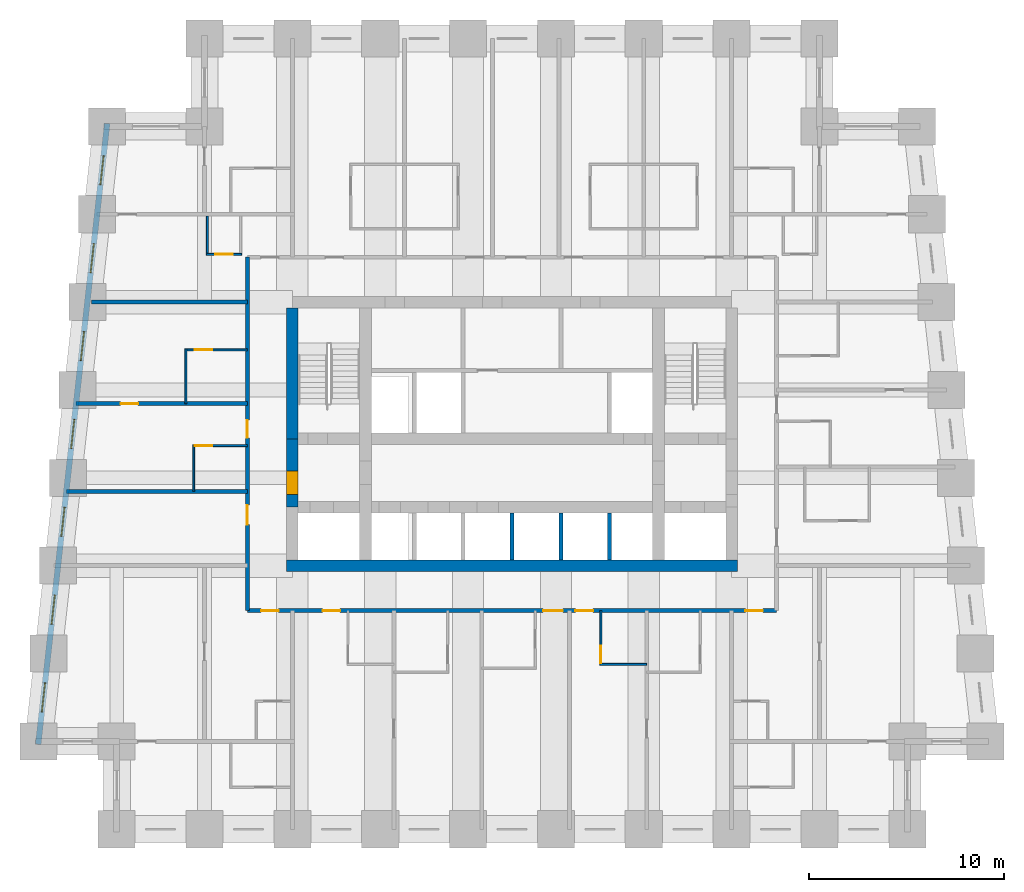
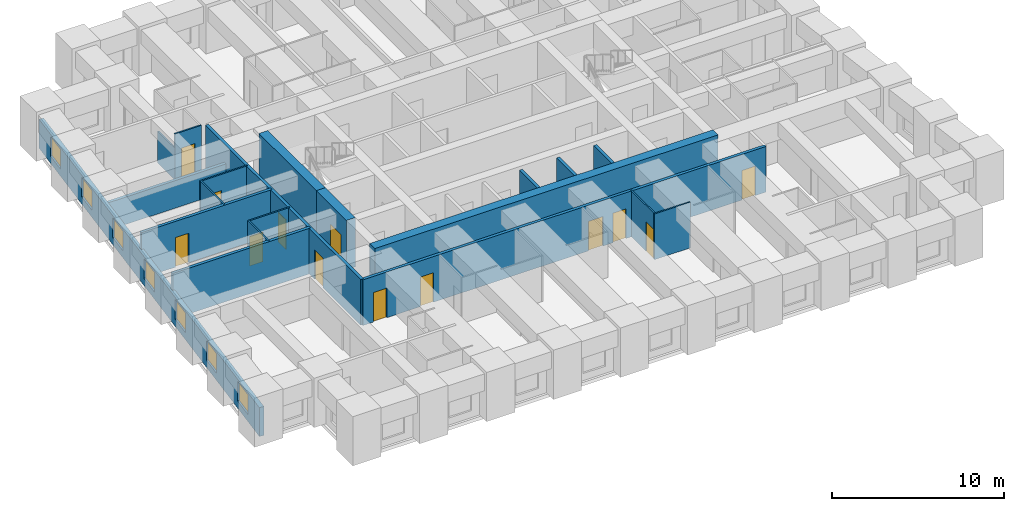
# One storey, part 3 of 8: 20 walls, 13 doors, 7 windows, 20 openings.
"""IFC4 building model written with IfcOpenShell, lengths in metres."""

from ifc_helpers import new_model, si_unit, direction, frame, frame_2d, origin, place, context, subcontext, project, spatial, rectangle, extrude, material, layer, layer_set, type_object, element, fill, save


model = new_model("IFC4")

# Units and contexts
model_context = context("Model", 3, precision=1e-05, world=origin(), true_north=direction((0.0, 1.0)))
body_context = subcontext(model_context, "Body", "Model", "MODEL_VIEW")
ifc_project = project(units=[si_unit("LENGTHUNIT", "METRE"), si_unit("AREAUNIT", "SQUARE_METRE"), si_unit("VOLUMEUNIT", "CUBIC_METRE"), si_unit("PLANEANGLEUNIT", "RADIAN"), si_unit("MASSUNIT", "GRAM", prefix="KILO")], contexts=[model_context])

# Site, building, storey
site_placement = place(None, origin())
site = spatial("IfcSite", under=ifc_project, at=site_placement, CompositionType="ELEMENT")
building_placement = place(site_placement, origin())
building = spatial("IfcBuilding", under=site, at=building_placement, Name="Kilele Tower Hotel", CompositionType="ELEMENT")
storey_placement = place(building_placement, frame((0.0, 0.0, 71.699951171875)))
storey = spatial("IfcBuildingStorey", under=building, at=storey_placement, Name="L17", CompositionType="ELEMENT", Elevation=71.699951171875)

# Wall
ifc_material_1 = material(Name="Moisture-resistant board")
ifc_layer_1 = layer(ifc_material_1, 0.10009765625)
ifc_layer_set_1 = layer_set([ifc_layer_1], Name="Moisture-resistant board")
wall_type_1 = type_object("IfcWallType", Name="Bathroom partition 100", PredefinedType="PLUMBINGWALL", material=ifc_layer_set_1)
wall_1_placement = place(storey_placement, frame((29.25, 8.449951171875, 0.0), z_axis=(0.0, 0.0, 1.0), x_axis=(1.0, 0.0, 0.0)))
element("IfcWall", 1, at=wall_1_placement, inside=storey, type_object=wall_type_1, Name="Bathroom partition 100 L17", PredefinedType="PLUMBINGWALL", context=body_context, shape_type="SweptSolid", body=[
    extrude(rectangle(XDim=2.39990234375, YDim=0.10009765625, at=frame_2d((1.199951171875, 0.0))), origin(), (0.0, 0.0, 1.0), 3.25),
])

# Wall, opening, door
wall_2_placement = place(storey_placement, frame((29.300048828125, 11.199951171875, 0.0), z_axis=(0.0, 0.0, 1.0), x_axis=(0.0, -1.0, 0.0)))
wall_2 = element("IfcWall", 2, at=wall_2_placement, inside=storey, type_object=wall_type_1, Name="Bathroom partition 100 L17", PredefinedType="PLUMBINGWALL", context=body_context, shape_type="SweptSolid", body=[
    extrude(rectangle(XDim=2.800048828125, YDim=0.10009765625, at=frame_2d((1.39990234375, 0.0))), origin(), (0.0, 0.0, 1.0), 3.25),
])
opening_1_placement = place(wall_2_placement, frame((2.699951171875, 0.0, 0.0), z_axis=(0.0, 0.0, 1.0), x_axis=(-1.0, 0.0, 0.0)))
opening_1 = element("IfcOpeningElement", 3, at=opening_1_placement, cuts=wall_2, Name="Opening D2A", PredefinedType="OPENING", context=body_context, shape_type="SweptSolid", body=[
    extrude(rectangle(XDim=0.89990234375, YDim=2.10009765625, at=frame_2d((0.449951171875, 1.050048828125))), frame((0.0, 0.06005859375, 0.0), z_axis=(0.0, -1.0, 0.0), x_axis=(1.0, 0.0, 0.0)), (0.0, 0.0, 1.0), 0.1201171875),
])
ifc_material_2 = material(Name="Timber door leaf in hardwood frame", Category="wood")
door_type_1 = type_object("IfcDoorType", Name="Bathroom door 900", OperationType="SINGLE_SWING_LEFT", PredefinedType="DOOR", material=ifc_material_2)
door_1_placement = place(opening_1_placement, origin())
door_1 = element("IfcDoor", 4, at=door_1_placement, inside=storey, type_object=door_type_1, Name="Bathroom door 1704B", OperationType="SINGLE_SWING_LEFT", OverallHeight=2.10009765625, OverallWidth=0.89990234375, PredefinedType="DOOR", context=body_context, shape_type="SweptSolid", body=[
    extrude(rectangle(XDim=0.89990234375, YDim=2.10009765625, at=frame_2d((0.449951171875, 1.050048828125))), frame((0.0, 0.02490234375, 0.0), z_axis=(0.0, -1.0, 0.0), x_axis=(1.0, 0.0, 0.0)), (0.0, 0.0, 1.0), 0.050048828125),
])
fill(opening_1, door_1)

# Wall
wall_3_placement = place(storey_placement, frame((8.449951171875, 17.300048828125, 0.0), z_axis=(0.0, 0.0, 1.0), x_axis=(0.0, 1.0, 0.0)))
element("IfcWall", 5, at=wall_3_placement, inside=storey, type_object=wall_type_1, Name="Bathroom partition 100 L17", PredefinedType="PLUMBINGWALL", context=body_context, shape_type="SweptSolid", body=[
    extrude(rectangle(XDim=2.39990234375, YDim=0.10009765625, at=frame_2d((1.199951171875, 0.0))), origin(), (0.0, 0.0, 1.0), 3.25),
])

# Wall, opening, door
wall_4_placement = place(storey_placement, frame((11.199951171875, 19.64990234375, 0.0), z_axis=(0.0, 0.0, 1.0), x_axis=(-1.0, 0.0, 0.0)))
wall_4 = element("IfcWall", 6, at=wall_4_placement, inside=storey, type_object=wall_type_1, Name="Bathroom partition 100 L17", PredefinedType="PLUMBINGWALL", context=body_context, shape_type="SweptSolid", body=[
    extrude(rectangle(XDim=2.800048828125, YDim=0.10009765625, at=frame_2d((1.39990234375, 0.0))), origin(), (0.0, 0.0, 1.0), 3.25),
])
opening_2_placement = place(wall_4_placement, frame((2.699951171875, 0.0, 0.0), z_axis=(0.0, 0.0, 1.0), x_axis=(-1.0, 0.0, 0.0)))
opening_2 = element("IfcOpeningElement", 7, at=opening_2_placement, cuts=wall_4, Name="Opening D2A", PredefinedType="OPENING", context=body_context, shape_type="SweptSolid", body=[
    extrude(rectangle(XDim=0.89990234375, YDim=2.10009765625, at=frame_2d((0.449951171875, 1.050048828125))), frame((0.0, 0.06005859375, 0.0), z_axis=(0.0, -1.0, 0.0), x_axis=(1.0, 0.0, 0.0)), (0.0, 0.0, 1.0), 0.1201171875),
])
door_2_placement = place(opening_2_placement, origin())
door_2 = element("IfcDoor", 8, at=door_2_placement, inside=storey, type_object=door_type_1, Name="Bathroom door 1715B", OperationType="SINGLE_SWING_LEFT", OverallHeight=2.10009765625, OverallWidth=0.89990234375, PredefinedType="DOOR", context=body_context, shape_type="SweptSolid", body=[
    extrude(rectangle(XDim=0.89990234375, YDim=2.10009765625, at=frame_2d((0.449951171875, 1.050048828125))), frame((0.0, 0.02490234375, 0.0), z_axis=(0.0, -1.0, 0.0), x_axis=(1.0, 0.0, 0.0)), (0.0, 0.0, 1.0), 0.050048828125),
])
fill(opening_2, door_2)

# Wall
wall_5_placement = place(storey_placement, frame((8.050048828125, 21.800048828125, 0.0), z_axis=(0.0, 0.0, 1.0), x_axis=(0.0, 1.0, 0.0)))
element("IfcWall", 9, at=wall_5_placement, inside=storey, type_object=wall_type_1, Name="Bathroom partition 100 L17", PredefinedType="PLUMBINGWALL", context=body_context, shape_type="SweptSolid", body=[
    extrude(rectangle(XDim=2.800048828125, YDim=0.10009765625, at=frame_2d((1.39990234375, 0.0))), origin(), (0.0, 0.0, 1.0), 3.25),
])

# Wall, opening, door
wall_6_placement = place(storey_placement, frame((11.199951171875, 24.550048828125, 0.0), z_axis=(0.0, 0.0, 1.0), x_axis=(-1.0, 0.0, 0.0)))
wall_6 = element("IfcWall", 10, at=wall_6_placement, inside=storey, type_object=wall_type_1, Name="Bathroom partition 100 L17", PredefinedType="PLUMBINGWALL", context=body_context, shape_type="SweptSolid", body=[
    extrude(rectangle(XDim=3.199951171875, YDim=0.10009765625, at=frame_2d((1.60009765625, 0.0))), origin(), (0.0, 0.0, 1.0), 3.25),
])
opening_3_placement = place(wall_6_placement, frame((2.699951171875, 0.0, 0.0), z_axis=(0.0, 0.0, 1.0), x_axis=(-1.0, 0.0, 0.0)))
opening_3 = element("IfcOpeningElement", 11, at=opening_3_placement, cuts=wall_6, Name="Opening D2A", PredefinedType="OPENING", context=body_context, shape_type="SweptSolid", body=[
    extrude(rectangle(XDim=0.89990234375, YDim=2.10009765625, at=frame_2d((0.449951171875, 1.050048828125))), frame((0.0, 0.06005859375, 0.0), z_axis=(0.0, -1.0, 0.0), x_axis=(1.0, 0.0, 0.0)), (0.0, 0.0, 1.0), 0.1201171875),
])
door_3_placement = place(opening_3_placement, origin())
door_3 = element("IfcDoor", 12, at=door_3_placement, inside=storey, type_object=door_type_1, Name="Bathroom door 1716B", OperationType="SINGLE_SWING_LEFT", OverallHeight=2.10009765625, OverallWidth=0.89990234375, PredefinedType="DOOR", context=body_context, shape_type="SweptSolid", body=[
    extrude(rectangle(XDim=0.89990234375, YDim=2.10009765625, at=frame_2d((0.449951171875, 1.050048828125))), frame((0.0, 0.02490234375, 0.0), z_axis=(0.0, -1.0, 0.0), x_axis=(1.0, 0.0, 0.0)), (0.0, 0.0, 1.0), 0.050048828125),
])
fill(opening_3, door_3)

# Wall
wall_7_placement = place(storey_placement, frame((9.14990234375, 31.39990234375, 0.0), z_axis=(0.0, 0.0, 1.0), x_axis=(0.0, -1.0, 0.0)))
element("IfcWall", 13, at=wall_7_placement, inside=storey, type_object=wall_type_1, Name="Bathroom partition 100 L17", PredefinedType="PLUMBINGWALL", context=body_context, shape_type="SweptSolid", body=[
    extrude(rectangle(XDim=2.0, YDim=0.10009765625, at=frame_2d((1.0, 0.0))), origin(), (0.0, 0.0, 1.0), 2.25),
])

# Wall, opening, door
wall_8_placement = place(storey_placement, frame((10.89990234375, 29.449951171875, 0.0), z_axis=(0.0, 0.0, 1.0), x_axis=(-1.0, 0.0, 0.0)))
wall_8 = element("IfcWall", 14, at=wall_8_placement, inside=storey, type_object=wall_type_1, Name="Bathroom partition 100 L17", PredefinedType="PLUMBINGWALL", context=body_context, shape_type="SweptSolid", body=[
    extrude(rectangle(XDim=1.7998046875, YDim=0.10009765625, at=frame_2d((0.89990234375, 0.0))), origin(), (0.0, 0.0, 1.0), 3.25),
])
opening_4_placement = place(wall_8_placement, frame((0.449951171875, 0.0, 0.0)))
opening_4 = element("IfcOpeningElement", 15, at=opening_4_placement, cuts=wall_8, Name="Opening D2A", PredefinedType="OPENING", context=body_context, shape_type="SweptSolid", body=[
    extrude(rectangle(XDim=0.89990234375, YDim=2.10009765625, at=frame_2d((0.449951171875, 1.050048828125))), frame((0.0, 0.06005859375, 0.0), z_axis=(0.0, -1.0, 0.0), x_axis=(1.0, 0.0, 0.0)), (0.0, 0.0, 1.0), 0.1201171875),
])
door_4_placement = place(opening_4_placement, origin())
door_4 = element("IfcDoor", 16, at=door_4_placement, inside=storey, type_object=door_type_1, Name="Bathroom door 1726P", OperationType="SINGLE_SWING_LEFT", OverallHeight=2.10009765625, OverallWidth=0.89990234375, PredefinedType="DOOR", context=body_context, shape_type="SweptSolid", body=[
    extrude(rectangle(XDim=0.89990234375, YDim=2.10009765625, at=frame_2d((0.449951171875, 1.050048828125))), frame((0.0, 0.02490234375, 0.0), z_axis=(0.0, -1.0, 0.0), x_axis=(1.0, 0.0, 0.0)), (0.0, 0.0, 1.0), 0.050048828125),
])
fill(opening_4, door_4)

# Walls
ifc_material_3 = material(Name="Concrete C60/75", Category="concrete")
ifc_layer_2 = layer(ifc_material_3, 0.60009765625)
ifc_layer_set_2 = layer_set([ifc_layer_2], Name="Concrete C60/75")
wall_type_2 = type_object("IfcWallType", Name="Core wall 600 C60/75", PredefinedType="SHEAR", material=ifc_layer_set_2)
wall_9_placement = place(storey_placement, frame((13.199951171875, 13.5, 0.0), z_axis=(0.0, 0.0, 1.0), x_axis=(1.0, 0.0, 0.0)))
element("IfcWall", 17, at=wall_9_placement, inside=storey, type_object=wall_type_2, Name="Core wall S L17", PredefinedType="SHEAR", context=body_context, shape_type="SweptSolid", body=[
    extrude(rectangle(XDim=23.10009765625, YDim=0.60009765625, at=frame_2d((11.550048828125, 0.0))), origin(), (0.0, 0.0, 1.0), 3.5),
])
wall_10_placement = place(storey_placement, frame((13.5, 26.699951171875, 0.0), z_axis=(0.0, 0.0, 1.0), x_axis=(0.0, -1.0, 0.0)))
element("IfcWall", 18, at=wall_10_placement, inside=storey, type_object=wall_type_2, Name="Core wall W1 L17", PredefinedType="SHEAR", context=body_context, shape_type="SweptSolid", body=[
    extrude(rectangle(XDim=6.699951171875, YDim=0.60009765625, at=frame_2d((3.35009765625, 0.0))), origin(), (0.0, 0.0, 1.0), 3.5),
])

# Wall, opening, door
wall_11_placement = place(storey_placement, frame((13.5, 20.0, 0.0), z_axis=(0.0, 0.0, 1.0), x_axis=(0.0, -1.0, 0.0)))
wall_11 = element("IfcWall", 19, at=wall_11_placement, inside=storey, type_object=wall_type_2, Name="Core wall W2 L17", PredefinedType="SHEAR", context=body_context, shape_type="SweptSolid", body=[
    extrude(rectangle(XDim=3.5, YDim=0.60009765625, at=frame_2d((1.75, 0.0))), origin(), (0.0, 0.0, 1.0), 3.5),
])
opening_5_placement = place(wall_11_placement, frame((1.64990234375, 0.0, 0.0)))
opening_5 = element("IfcOpeningElement", 20, at=opening_5_placement, cuts=wall_11, Name="Opening D4", PredefinedType="OPENING", context=body_context, shape_type="SweptSolid", body=[
    extrude(rectangle(XDim=1.199951171875, YDim=2.10009765625, at=frame_2d((0.60009765625, 1.050048828125))), frame((0.0, 0.31005859375, 0.0), z_axis=(0.0, -1.0, 0.0), x_axis=(1.0, 0.0, 0.0)), (0.0, 0.0, 1.0), 0.6201171875),
])
ifc_material_4 = material(Name="Timber door leaf in hardwood frame", Category="wood")
door_type_2 = type_object("IfcDoorType", Name="Firefighting lobby door 1200", OperationType="SINGLE_SWING_LEFT", PredefinedType="DOOR", material=ifc_material_4)
door_5_placement = place(opening_5_placement, origin())
door_5 = element("IfcDoor", 21, at=door_5_placement, inside=storey, type_object=door_type_2, Name="Lobby door L17", OperationType="SINGLE_SWING_RIGHT", OverallHeight=2.10009765625, OverallWidth=1.199951171875, PredefinedType="DOOR", context=body_context, shape_type="SweptSolid", body=[
    extrude(rectangle(XDim=1.199951171875, YDim=2.10009765625, at=frame_2d((0.60009765625, 1.050048828125))), frame((0.0, 0.2998046875, 0.0), z_axis=(0.0, -1.0, 0.0), x_axis=(1.0, 0.0, 0.0)), (0.0, 0.0, 1.0), 0.599609375),
])
fill(opening_5, door_5)

# Wall, openings, doors
ifc_material_5 = material(Name="Blockwork, plastered both sides", Category="masonry")
ifc_layer_3 = layer(ifc_material_5, 0.199951171875)
ifc_layer_set_3 = layer_set([ifc_layer_3], Name="Blockwork, plastered both sides")
wall_type_3 = type_object("IfcWallType", Name="Corridor wall 200", PredefinedType="PARTITIONING", material=ifc_layer_set_3)
wall_12_placement = place(storey_placement, frame((11.199951171875, 11.199951171875, 0.0), z_axis=(0.0, 0.0, 1.0), x_axis=(1.0, 0.0, 0.0)))
wall_12 = element("IfcWall", 22, at=wall_12_placement, inside=storey, type_object=wall_type_3, Name="Corridor wall 200 L17", PredefinedType="PARTITIONING", context=body_context, shape_type="SweptSolid", body=[
    extrude(rectangle(XDim=27.10009765625, YDim=0.199951171875, at=frame_2d((13.550048828125, 0.0))), origin(), (0.0, 0.0, 1.0), 3.25),
])
opening_6_placement = place(wall_12_placement, frame((4.75, 0.0, 0.0), z_axis=(0.0, 0.0, 1.0), x_axis=(-1.0, 0.0, 0.0)))
opening_6 = element("IfcOpeningElement", 23, at=opening_6_placement, cuts=wall_12, Name="Opening D1", PredefinedType="OPENING", context=body_context, shape_type="SweptSolid", body=[
    extrude(rectangle(XDim=0.89990234375, YDim=2.10009765625, at=frame_2d((0.449951171875, 1.050048828125))), frame((0.0, 0.10986328125, 0.0), z_axis=(0.0, -1.0, 0.0), x_axis=(1.0, 0.0, 0.0)), (0.0, 0.0, 1.0), 0.219970703125),
])
opening_7_placement = place(wall_12_placement, frame((16.14990234375, 0.0, 0.0), z_axis=(0.0, 0.0, 1.0), x_axis=(-1.0, 0.0, 0.0)))
opening_7 = element("IfcOpeningElement", 24, at=opening_7_placement, cuts=wall_12, Name="Opening D1A", PredefinedType="OPENING", context=body_context, shape_type="SweptSolid", body=[
    extrude(rectangle(XDim=1.0, YDim=2.10009765625, at=frame_2d((0.5, 1.050048828125))), frame((0.0, 0.10986328125, 0.0), z_axis=(0.0, -1.0, 0.0), x_axis=(1.0, 0.0, 0.0)), (0.0, 0.0, 1.0), 0.219970703125),
])
opening_8_placement = place(wall_12_placement, frame((17.699951171875, 0.0, 0.0), z_axis=(0.0, 0.0, 1.0), x_axis=(-1.0, 0.0, 0.0)))
opening_8 = element("IfcOpeningElement", 25, at=opening_8_placement, cuts=wall_12, Name="Opening D1", PredefinedType="OPENING", context=body_context, shape_type="SweptSolid", body=[
    extrude(rectangle(XDim=0.89990234375, YDim=2.10009765625, at=frame_2d((0.449951171875, 1.050048828125))), frame((0.0, 0.10986328125, 0.0), z_axis=(0.0, -1.0, 0.0), x_axis=(1.0, 0.0, 0.0)), (0.0, 0.0, 1.0), 0.219970703125),
])
opening_9_placement = place(wall_12_placement, frame((1.599853515625, 0.0, 0.0), z_axis=(0.0, 0.0, 1.0), x_axis=(-1.0, 0.0, 0.0)))
opening_9 = element("IfcOpeningElement", 26, at=opening_9_placement, cuts=wall_12, Name="Opening D1", PredefinedType="OPENING", context=body_context, shape_type="SweptSolid", body=[
    extrude(rectangle(XDim=0.89990234375, YDim=2.10009765625, at=frame_2d((0.449951171875, 1.050048828125))), frame((0.0, 0.10986328125, 0.0), z_axis=(0.0, -1.0, 0.0), x_axis=(1.0, 0.0, 0.0)), (0.0, 0.0, 1.0), 0.219970703125),
])
opening_10_placement = place(wall_12_placement, frame((26.39990234375, 0.0, 0.0), z_axis=(0.0, 0.0, 1.0), x_axis=(-1.0, 0.0, 0.0)))
opening_10 = element("IfcOpeningElement", 27, at=opening_10_placement, cuts=wall_12, Name="Opening D1", PredefinedType="OPENING", context=body_context, shape_type="SweptSolid", body=[
    extrude(rectangle(XDim=0.89990234375, YDim=2.10009765625, at=frame_2d((0.449951171875, 1.050048828125))), frame((0.0, 0.10986328125, 0.0), z_axis=(0.0, -1.0, 0.0), x_axis=(1.0, 0.0, 0.0)), (0.0, 0.0, 1.0), 0.219970703125),
])
ifc_material_6 = material(Name="Timber door leaf in hardwood frame", Category="wood")
door_type_3 = type_object("IfcDoorType", Name="Guest room entrance door 1000", OperationType="SINGLE_SWING_LEFT", PredefinedType="DOOR", material=ifc_material_6)
door_6_placement = place(opening_7_placement, origin())
door_6 = element("IfcDoor", 28, at=door_6_placement, inside=storey, type_object=door_type_3, Name="Room entrance 1703", OperationType="SINGLE_SWING_LEFT", OverallHeight=2.10009765625, OverallWidth=1.0, PredefinedType="DOOR", context=body_context, shape_type="SweptSolid", body=[
    extrude(rectangle(XDim=1.0, YDim=2.10009765625, at=frame_2d((0.5, 1.050048828125))), frame((0.0, 0.02490234375, 0.0), z_axis=(0.0, -1.0, 0.0), x_axis=(1.0, 0.0, 0.0)), (0.0, 0.0, 1.0), 0.050048828125),
])
fill(opening_7, door_6)
ifc_material_7 = material(Name="Timber door leaf in hardwood frame", Category="wood")
door_type_4 = type_object("IfcDoorType", Name="Guest room entrance door 900", OperationType="SINGLE_SWING_LEFT", PredefinedType="DOOR", material=ifc_material_7)
door_7_placement = place(opening_6_placement, origin())
door_7 = element("IfcDoor", 29, at=door_7_placement, inside=storey, type_object=door_type_4, Name="Room entrance 1701", OperationType="SINGLE_SWING_LEFT", OverallHeight=2.10009765625, OverallWidth=0.89990234375, PredefinedType="DOOR", context=body_context, shape_type="SweptSolid", body=[
    extrude(rectangle(XDim=0.89990234375, YDim=2.10009765625, at=frame_2d((0.449951171875, 1.050048828125))), frame((0.0, 0.02490234375, 0.0), z_axis=(0.0, -1.0, 0.0), x_axis=(1.0, 0.0, 0.0)), (0.0, 0.0, 1.0), 0.050048828125),
])
fill(opening_6, door_7)
door_8_placement = place(opening_8_placement, origin())
door_8 = element("IfcDoor", 30, at=door_8_placement, inside=storey, type_object=door_type_4, Name="Room entrance 1704", OperationType="SINGLE_SWING_RIGHT", OverallHeight=2.10009765625, OverallWidth=0.89990234375, PredefinedType="DOOR", context=body_context, shape_type="SweptSolid", body=[
    extrude(rectangle(XDim=0.89990234375, YDim=2.10009765625, at=frame_2d((0.449951171875, 1.050048828125))), frame((0.0, 0.02490234375, 0.0), z_axis=(0.0, -1.0, 0.0), x_axis=(1.0, 0.0, 0.0)), (0.0, 0.0, 1.0), 0.050048828125),
])
fill(opening_8, door_8)
door_9_placement = place(opening_9_placement, origin())
door_9 = element("IfcDoor", 31, at=door_9_placement, inside=storey, type_object=door_type_4, Name="Room entrance 1717", OperationType="SINGLE_SWING_LEFT", OverallHeight=2.10009765625, OverallWidth=0.89990234375, PredefinedType="DOOR", context=body_context, shape_type="SweptSolid", body=[
    extrude(rectangle(XDim=0.89990234375, YDim=2.10009765625, at=frame_2d((0.449951171875, 1.050048828125))), frame((0.0, 0.02490234375, 0.0), z_axis=(0.0, -1.0, 0.0), x_axis=(1.0, 0.0, 0.0)), (0.0, 0.0, 1.0), 0.050048828125),
])
fill(opening_9, door_9)
door_10_placement = place(opening_10_placement, origin())
door_10 = element("IfcDoor", 32, at=door_10_placement, inside=storey, type_object=door_type_4, Name="Room entrance 1720", OperationType="SINGLE_SWING_RIGHT", OverallHeight=2.10009765625, OverallWidth=0.89990234375, PredefinedType="DOOR", context=body_context, shape_type="SweptSolid", body=[
    extrude(rectangle(XDim=0.89990234375, YDim=2.10009765625, at=frame_2d((0.449951171875, 1.050048828125))), frame((0.0, 0.02490234375, 0.0), z_axis=(0.0, -1.0, 0.0), x_axis=(1.0, 0.0, 0.0)), (0.0, 0.0, 1.0), 0.050048828125),
])
fill(opening_10, door_10)

wall_13_placement = place(storey_placement, frame((11.199951171875, 11.199951171875, 0.0), z_axis=(0.0, 0.0, 1.0), x_axis=(0.0, 1.0, 0.0)))
wall_13 = element("IfcWall", 33, at=wall_13_placement, inside=storey, type_object=wall_type_3, Name="Corridor wall 200 L17", PredefinedType="PARTITIONING", context=body_context, shape_type="SweptSolid", body=[
    extrude(rectangle(XDim=18.10009765625, YDim=0.199951171875, at=frame_2d((9.050048828125, 0.0))), origin(), (0.0, 0.0, 1.0), 3.25),
])
opening_11_placement = place(wall_13_placement, frame((4.39990234375, 0.0, 0.0)))
opening_11 = element("IfcOpeningElement", 34, at=opening_11_placement, cuts=wall_13, Name="Opening D8", PredefinedType="OPENING", context=body_context, shape_type="SweptSolid", body=[
    extrude(rectangle(XDim=1.0, YDim=2.10009765625, at=frame_2d((0.5, 1.050048828125))), frame((0.0, 0.10986328125, 0.0), z_axis=(0.0, -1.0, 0.0), x_axis=(1.0, 0.0, 0.0)), (0.0, 0.0, 1.0), 0.219970703125),
])
opening_12_placement = place(wall_13_placement, frame((8.85009765625, 0.0, 0.0)))
opening_12 = element("IfcOpeningElement", 35, at=opening_12_placement, cuts=wall_13, Name="Opening D1", PredefinedType="OPENING", context=body_context, shape_type="SweptSolid", body=[
    extrude(rectangle(XDim=0.89990234375, YDim=2.10009765625, at=frame_2d((0.449951171875, 1.050048828125))), frame((0.0, 0.10986328125, 0.0), z_axis=(0.0, -1.0, 0.0), x_axis=(1.0, 0.0, 0.0)), (0.0, 0.0, 1.0), 0.219970703125),
])
ifc_material_8 = material(Name="Timber door leaf in hardwood frame", Category="wood")
door_type_5 = type_object("IfcDoorType", Name="Door 1000", OperationType="SINGLE_SWING_LEFT", PredefinedType="DOOR", material=ifc_material_8)
door_11_placement = place(opening_11_placement, origin())
door_11 = element("IfcDoor", 36, at=door_11_placement, inside=storey, type_object=door_type_5, Name="Room entrance 1714", OperationType="SINGLE_SWING_RIGHT", OverallHeight=2.10009765625, OverallWidth=1.0, PredefinedType="DOOR", context=body_context, shape_type="SweptSolid", body=[
    extrude(rectangle(XDim=1.0, YDim=2.10009765625, at=frame_2d((0.5, 1.050048828125))), frame((0.0, 0.02490234375, 0.0), z_axis=(0.0, -1.0, 0.0), x_axis=(1.0, 0.0, 0.0)), (0.0, 0.0, 1.0), 0.050048828125),
])
fill(opening_11, door_11)
door_12_placement = place(opening_12_placement, origin())
door_12 = element("IfcDoor", 37, at=door_12_placement, inside=storey, type_object=door_type_4, Name="Room entrance 1715", OperationType="SINGLE_SWING_LEFT", OverallHeight=2.10009765625, OverallWidth=0.89990234375, PredefinedType="DOOR", context=body_context, shape_type="SweptSolid", body=[
    extrude(rectangle(XDim=0.89990234375, YDim=2.10009765625, at=frame_2d((0.449951171875, 1.050048828125))), frame((0.0, 0.02490234375, 0.0), z_axis=(0.0, -1.0, 0.0), x_axis=(1.0, 0.0, 0.0)), (0.0, 0.0, 1.0), 0.050048828125),
])
fill(opening_12, door_12)

# Wall
ifc_material_9 = material(Name="Blockwork, plastered both sides", Category="masonry")
ifc_layer_4 = layer(ifc_material_9, 0.199951171875)
ifc_layer_set_4 = layer_set([ifc_layer_4], Name="Blockwork, plastered both sides")
wall_type_4 = type_object("IfcWallType", Name="Party wall 200", PredefinedType="PARTITIONING", material=ifc_layer_set_4)
wall_14_placement = place(storey_placement, frame((11.199951171875, 17.300048828125, 0.0), z_axis=(0.0, 0.0, 1.0), x_axis=(-1.0, 0.0, 0.0)))
element("IfcWall", 38, at=wall_14_placement, inside=storey, type_object=wall_type_4, Name="Party wall 200 L17", PredefinedType="PARTITIONING", context=body_context, shape_type="SweptSolid", body=[
    extrude(rectangle(XDim=9.27685546875, YDim=0.199951171875, at=frame_2d((4.638427734375, 0.0))), origin(), (0.0, 0.0, 1.0), 3.25),
])

# Wall, opening, door
wall_15_placement = place(storey_placement, frame((11.199951171875, 21.800048828125, 0.0), z_axis=(0.0, 0.0, 1.0), x_axis=(-1.0, 0.0, 0.0)))
wall_15 = element("IfcWall", 39, at=wall_15_placement, inside=storey, type_object=wall_type_4, Name="Party wall 200 L17", PredefinedType="PARTITIONING", context=body_context, shape_type="SweptSolid", body=[
    extrude(rectangle(XDim=8.77685546875, YDim=0.199951171875, at=frame_2d((4.388427734375, 0.0))), origin(), (0.0, 0.0, 1.0), 3.25),
])
opening_13_placement = place(wall_15_placement, frame((5.60009765625, 0.0, 0.0)))
opening_13 = element("IfcOpeningElement", 40, at=opening_13_placement, cuts=wall_15, Name="Opening D3", PredefinedType="OPENING", context=body_context, shape_type="SweptSolid", body=[
    extrude(rectangle(XDim=0.89990234375, YDim=2.10009765625, at=frame_2d((0.449951171875, 1.050048828125))), frame((0.0, 0.10986328125, 0.0), z_axis=(0.0, -1.0, 0.0), x_axis=(1.0, 0.0, 0.0)), (0.0, 0.0, 1.0), 0.219970703125),
])
ifc_material_10 = material(Name="Timber door leaf in hardwood frame", Category="wood")
door_type_6 = type_object("IfcDoorType", Name="Suite internal door 900", OperationType="SINGLE_SWING_LEFT", PredefinedType="DOOR", material=ifc_material_10)
door_13_placement = place(opening_13_placement, origin())
door_13 = element("IfcDoor", 41, at=door_13_placement, inside=storey, type_object=door_type_6, Name="Suite door 1716", OperationType="SINGLE_SWING_RIGHT", OverallHeight=2.10009765625, OverallWidth=0.89990234375, PredefinedType="DOOR", context=body_context, shape_type="SweptSolid", body=[
    extrude(rectangle(XDim=0.89990234375, YDim=2.10009765625, at=frame_2d((0.449951171875, 1.050048828125))), frame((0.0, 0.02490234375, 0.0), z_axis=(0.0, -1.0, 0.0), x_axis=(1.0, 0.0, 0.0)), (0.0, 0.0, 1.0), 0.050048828125),
])
fill(opening_13, door_13)

# Wall
wall_16_placement = place(storey_placement, frame((11.199951171875, 27.0, 0.0), z_axis=(0.0, 0.0, 1.0), x_axis=(-1.0, 0.0, 0.0)))
element("IfcWall", 42, at=wall_16_placement, inside=storey, type_object=wall_type_4, Name="Party wall 200 L17", PredefinedType="PARTITIONING", context=body_context, shape_type="SweptSolid", body=[
    extrude(rectangle(XDim=7.976806640625, YDim=0.199951171875, at=frame_2d((3.98828125, 0.0))), origin(), (0.0, 0.0, 1.0), 1.949951171875),
])

# Wall, openings, windows
ifc_material_11 = material(Name="Concrete C40/50 precast", Category="concrete")
ifc_layer_5 = layer(ifc_material_11, 0.260009765625, Name="Precast backing", Category="LoadBearing")
ifc_material_12 = material(Name="Reconstituted stone finish", Category="masonry")
ifc_layer_6 = layer(ifc_material_12, 0.0400390625, Name="Face mix", Category="Finish")
ifc_layer_set_5 = layer_set([ifc_layer_5, ifc_layer_6], Name="Precast concrete C40/50, reconstituted stone finish")
wall_type_5 = type_object("IfcWallType", Name="Precast stone facade wall 300", PredefinedType="STANDARD", material=ifc_layer_set_5)
wall_17_placement = place(storey_placement, frame((4.0166015625, 36.149169921875, 0.0), z_axis=(0.0, 0.0, 1.0), x_axis=(-0.110433201132, -0.993883548555, 0.0)))
wall_17 = element("IfcWall", 43, at=wall_17_placement, inside=storey, type_object=wall_type_5, Name="Facade wall L17 edge 12", PredefinedType="STANDARD", context=body_context, shape_type="SweptSolid", body=[
    extrude(rectangle(XDim=31.994140625, YDim=0.300048828125, at=frame_2d((15.9970703125, 0.0))), origin(), (0.0, 0.0, 1.0), 2.050048828125),
])
opening_14_placement = place(wall_17_placement, frame((1.6640625, 0.0, 0.5)))
opening_14 = element("IfcOpeningElement", 44, at=opening_14_placement, cuts=wall_17, Name="Opening W1", PredefinedType="OPENING", context=body_context, shape_type="SweptSolid", body=[
    extrude(rectangle(XDim=1.5, YDim=1.39990234375, at=frame_2d((0.75, 0.699951171875))), frame((0.0, 0.159912109375, 0.0), z_axis=(0.0, -1.0, 0.0), x_axis=(1.0, 0.0, 0.0)), (0.0, 0.0, 1.0), 0.320068359375),
])
opening_15_placement = place(wall_17_placement, frame((6.19189453125, 0.0, 0.5)))
opening_15 = element("IfcOpeningElement", 45, at=opening_15_placement, cuts=wall_17, Name="Opening W1", PredefinedType="OPENING", context=body_context, shape_type="SweptSolid", body=[
    extrude(rectangle(XDim=1.5, YDim=1.39990234375, at=frame_2d((0.75, 0.699951171875))), frame((0.0, 0.159912109375, 0.0), z_axis=(0.0, -1.0, 0.0), x_axis=(1.0, 0.0, 0.0)), (0.0, 0.0, 1.0), 0.320068359375),
])
opening_16_placement = place(wall_17_placement, frame((10.718994140625, 0.0, 0.5)))
opening_16 = element("IfcOpeningElement", 46, at=opening_16_placement, cuts=wall_17, Name="Opening W1", PredefinedType="OPENING", context=body_context, shape_type="SweptSolid", body=[
    extrude(rectangle(XDim=1.5, YDim=1.39990234375, at=frame_2d((0.75, 0.699951171875))), frame((0.0, 0.159912109375, 0.0), z_axis=(0.0, -1.0, 0.0), x_axis=(1.0, 0.0, 0.0)), (0.0, 0.0, 1.0), 0.320068359375),
])
opening_17_placement = place(wall_17_placement, frame((15.2470703125, 0.0, 0.5)))
opening_17 = element("IfcOpeningElement", 47, at=opening_17_placement, cuts=wall_17, Name="Opening W1", PredefinedType="OPENING", context=body_context, shape_type="SweptSolid", body=[
    extrude(rectangle(XDim=1.5, YDim=1.39990234375, at=frame_2d((0.75, 0.699951171875))), frame((0.0, 0.159912109375, 0.0), z_axis=(0.0, -1.0, 0.0), x_axis=(1.0, 0.0, 0.0)), (0.0, 0.0, 1.0), 0.320068359375),
])
opening_18_placement = place(wall_17_placement, frame((19.77490234375, 0.0, 0.5)))
opening_18 = element("IfcOpeningElement", 48, at=opening_18_placement, cuts=wall_17, Name="Opening W1", PredefinedType="OPENING", context=body_context, shape_type="SweptSolid", body=[
    extrude(rectangle(XDim=1.5, YDim=1.39990234375, at=frame_2d((0.75, 0.699951171875))), frame((0.0, 0.159912109375, 0.0), z_axis=(0.0, -1.0, 0.0), x_axis=(1.0, 0.0, 0.0)), (0.0, 0.0, 1.0), 0.320068359375),
])
opening_19_placement = place(wall_17_placement, frame((24.302001953125, 0.0, 0.5)))
opening_19 = element("IfcOpeningElement", 49, at=opening_19_placement, cuts=wall_17, Name="Opening W1", PredefinedType="OPENING", context=body_context, shape_type="SweptSolid", body=[
    extrude(rectangle(XDim=1.5, YDim=1.39990234375, at=frame_2d((0.75, 0.699951171875))), frame((0.0, 0.159912109375, 0.0), z_axis=(0.0, -1.0, 0.0), x_axis=(1.0, 0.0, 0.0)), (0.0, 0.0, 1.0), 0.320068359375),
])
opening_20_placement = place(wall_17_placement, frame((28.830078125, 0.0, 0.5)))
opening_20 = element("IfcOpeningElement", 50, at=opening_20_placement, cuts=wall_17, Name="Opening W1", PredefinedType="OPENING", context=body_context, shape_type="SweptSolid", body=[
    extrude(rectangle(XDim=1.5, YDim=1.39990234375, at=frame_2d((0.75, 0.699951171875))), frame((0.0, 0.159912109375, 0.0), z_axis=(0.0, -1.0, 0.0), x_axis=(1.0, 0.0, 0.0)), (0.0, 0.0, 1.0), 0.320068359375),
])
ifc_material_13 = material(Name="Aluminium frame, clear double glazing", Category="aluminium")
window_type = type_object("IfcWindowType", Name="Window W1 1500 x 1400", PartitioningType="SINGLE_PANEL", PredefinedType="WINDOW", material=ifc_material_13)
window_1_placement = place(opening_14_placement, origin())
window_1 = element("IfcWindow", 51, at=window_1_placement, inside=storey, type_object=window_type, Name="Window L17", OverallHeight=1.39990234375, OverallWidth=1.5, PartitioningType="SINGLE_PANEL", PredefinedType="WINDOW", context=body_context, shape_type="SweptSolid", body=[
    extrude(rectangle(XDim=1.5, YDim=1.39990234375, at=frame_2d((0.75, 0.699951171875))), frame((0.0, 0.030029296875, 0.0), z_axis=(0.0, -1.0, 0.0), x_axis=(1.0, 0.0, 0.0)), (0.0, 0.0, 1.0), 0.06005859375),
])
fill(opening_14, window_1)
window_2_placement = place(opening_15_placement, origin())
window_2 = element("IfcWindow", 52, at=window_2_placement, inside=storey, type_object=window_type, Name="Window L17", OverallHeight=1.39990234375, OverallWidth=1.5, PartitioningType="SINGLE_PANEL", PredefinedType="WINDOW", context=body_context, shape_type="SweptSolid", body=[
    extrude(rectangle(XDim=1.5, YDim=1.39990234375, at=frame_2d((0.75, 0.699951171875))), frame((0.0, 0.030029296875, 0.0), z_axis=(0.0, -1.0, 0.0), x_axis=(1.0, 0.0, 0.0)), (0.0, 0.0, 1.0), 0.06005859375),
])
fill(opening_15, window_2)
window_3_placement = place(opening_16_placement, origin())
window_3 = element("IfcWindow", 53, at=window_3_placement, inside=storey, type_object=window_type, Name="Window L17", OverallHeight=1.39990234375, OverallWidth=1.5, PartitioningType="SINGLE_PANEL", PredefinedType="WINDOW", context=body_context, shape_type="SweptSolid", body=[
    extrude(rectangle(XDim=1.5, YDim=1.39990234375, at=frame_2d((0.75, 0.699951171875))), frame((0.0, 0.030029296875, 0.0), z_axis=(0.0, -1.0, 0.0), x_axis=(1.0, 0.0, 0.0)), (0.0, 0.0, 1.0), 0.06005859375),
])
fill(opening_16, window_3)
window_4_placement = place(opening_17_placement, origin())
window_4 = element("IfcWindow", 54, at=window_4_placement, inside=storey, type_object=window_type, Name="Window L17", OverallHeight=1.39990234375, OverallWidth=1.5, PartitioningType="SINGLE_PANEL", PredefinedType="WINDOW", context=body_context, shape_type="SweptSolid", body=[
    extrude(rectangle(XDim=1.5, YDim=1.39990234375, at=frame_2d((0.75, 0.699951171875))), frame((0.0, 0.030029296875, 0.0), z_axis=(0.0, -1.0, 0.0), x_axis=(1.0, 0.0, 0.0)), (0.0, 0.0, 1.0), 0.06005859375),
])
fill(opening_17, window_4)
window_5_placement = place(opening_18_placement, origin())
window_5 = element("IfcWindow", 55, at=window_5_placement, inside=storey, type_object=window_type, Name="Window L17", OverallHeight=1.39990234375, OverallWidth=1.5, PartitioningType="SINGLE_PANEL", PredefinedType="WINDOW", context=body_context, shape_type="SweptSolid", body=[
    extrude(rectangle(XDim=1.5, YDim=1.39990234375, at=frame_2d((0.75, 0.699951171875))), frame((0.0, 0.030029296875, 0.0), z_axis=(0.0, -1.0, 0.0), x_axis=(1.0, 0.0, 0.0)), (0.0, 0.0, 1.0), 0.06005859375),
])
fill(opening_18, window_5)
window_6_placement = place(opening_19_placement, origin())
window_6 = element("IfcWindow", 56, at=window_6_placement, inside=storey, type_object=window_type, Name="Window L17", OverallHeight=1.39990234375, OverallWidth=1.5, PartitioningType="SINGLE_PANEL", PredefinedType="WINDOW", context=body_context, shape_type="SweptSolid", body=[
    extrude(rectangle(XDim=1.5, YDim=1.39990234375, at=frame_2d((0.75, 0.699951171875))), frame((0.0, 0.030029296875, 0.0), z_axis=(0.0, -1.0, 0.0), x_axis=(1.0, 0.0, 0.0)), (0.0, 0.0, 1.0), 0.06005859375),
])
fill(opening_19, window_6)
window_7_placement = place(opening_20_placement, origin())
window_7 = element("IfcWindow", 57, at=window_7_placement, inside=storey, type_object=window_type, Name="Window L17", OverallHeight=1.39990234375, OverallWidth=1.5, PartitioningType="SINGLE_PANEL", PredefinedType="WINDOW", context=body_context, shape_type="SweptSolid", body=[
    extrude(rectangle(XDim=1.5, YDim=1.39990234375, at=frame_2d((0.75, 0.699951171875))), frame((0.0, 0.030029296875, 0.0), z_axis=(0.0, -1.0, 0.0), x_axis=(1.0, 0.0, 0.0)), (0.0, 0.0, 1.0), 0.06005859375),
])
fill(opening_20, window_7)

# Walls
ifc_material_14 = material(Name="Blockwork, fire-rated", Category="masonry")
ifc_layer_7 = layer(ifc_material_14, 0.199951171875)
ifc_layer_set_6 = layer_set([ifc_layer_7], Name="Blockwork, fire-rated")
wall_type_6 = type_object("IfcWallType", Name="Shaft wall 200", PredefinedType="PARTITIONING", material=ifc_layer_set_6)
for number, where, z_axis, x_axis, name in (
    (58, (24.75, 13.800048828125, 0.0), (0.0, 0.0, 1.0), (0.0, 1.0, 0.0), "Shaft wall 200 L17"),
    (59, (27.25, 13.800048828125, 0.0), (0.0, 0.0, 1.0), (0.0, 1.0, 0.0), "Shaft wall 200 L17"),
    (60, (29.75, 13.800048828125, 0.0), (0.0, 0.0, 1.0), (0.0, 1.0, 0.0), "Shaft wall 200 L17"),
):
    element("IfcWall", number, at=place(storey_placement, frame(where, z_axis=z_axis, x_axis=x_axis)), inside=storey, type_object=wall_type_6, Name=name, PredefinedType="PARTITIONING", context=body_context, shape_type="SweptSolid", body=[
        extrude(rectangle(XDim=2.39990234375, YDim=0.199951171875, at=frame_2d((1.199951171875, 0.0))), origin(), (0.0, 0.0, 1.0), 3.25),
    ])

save(model, "model.ifc")
